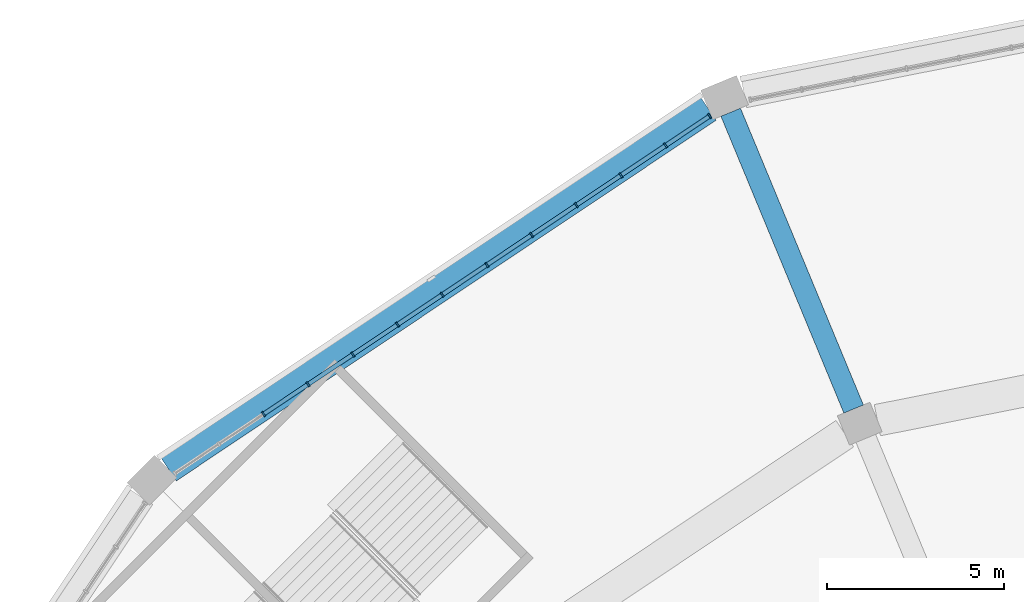
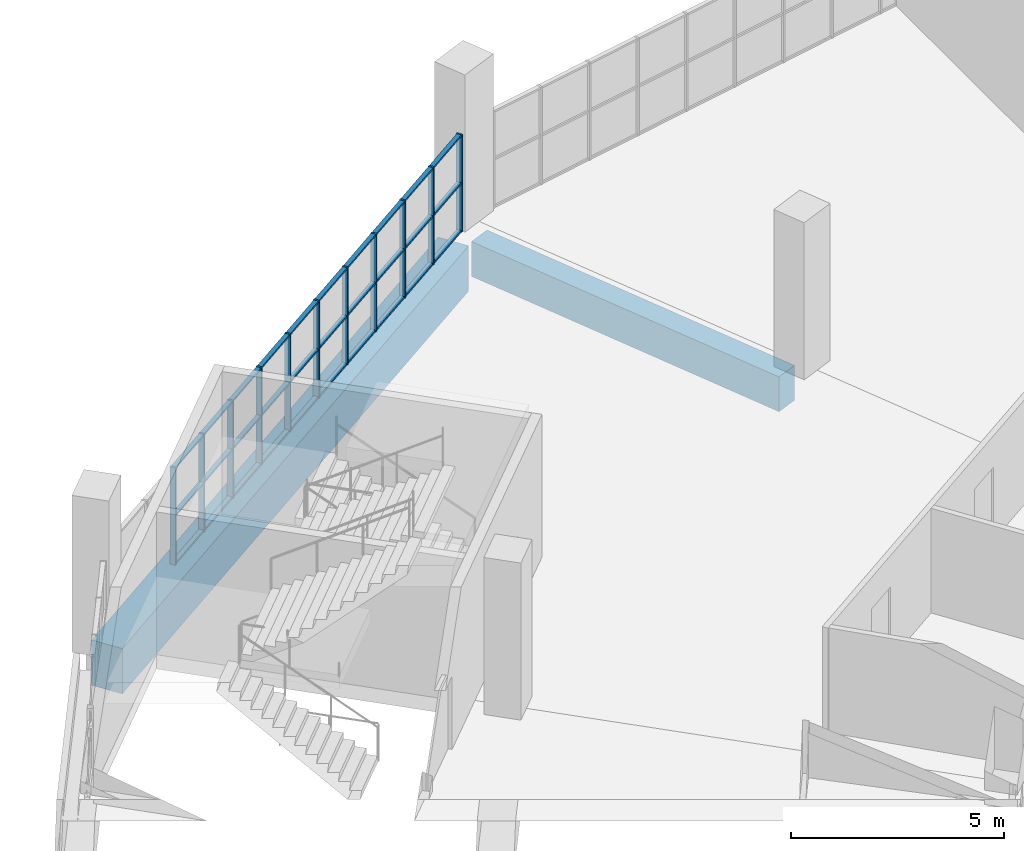
# One storey, part 41 of 199: 41 members, 2 beams, 1 element without a shape of its own.
"""IFC4 building model written with IfcOpenShell, lengths in metres."""

import ifcopenshell
import ifcopenshell.guid

model = None  # the IFC model being written
_history = None  # IfcOwnerHistory: only IFC2X3 demands one
_inside = {}  # id of a spatial element -> (the spatial element, [elements in it])
_under = {}  # id of a project, library or spatial element -> (it, [spatial elements below it])
_declared = {}  # id of a project -> (the project, [libraries it declares])
_typed = {}  # id of a type object -> (the type object, [elements of that type])
_made_of = {}  # id of a material, layer set ... -> (it, [elements and type objects made of it])


def new_model(schema):
    """Start an empty IFC model of exactly this schema.

    Asked for "IFC4X3", IfcOpenShell would pick the latest addendum, in which some entities
    have other attributes; the version numbers below select the first issue.
    IFC2X3 requires an IfcOwnerHistory on every rooted entity: one is made here for all.
    """
    global model, _history
    if schema == "IFC4X3":
        model = ifcopenshell.file(schema_version=(4, 3, 0, 0))
    else:
        model = ifcopenshell.file(schema=schema)
    _inside.clear()
    _under.clear()
    _declared.clear()
    _typed.clear()
    _made_of.clear()
    _history = None
    if model.schema == "IFC2X3":
        org = make("IfcOrganization", Name="unknown")
        user = make(
            "IfcPersonAndOrganization",
            ThePerson=make("IfcPerson", FamilyName="unknown"),
            TheOrganization=org,
        )
        app = make(
            "IfcApplication",
            ApplicationDeveloper=org,
            Version="unknown",
            ApplicationFullName="unknown",
            ApplicationIdentifier="unknown",
        )
        _history = make(
            "IfcOwnerHistory",
            OwningUser=user,
            OwningApplication=app,
            ChangeAction="ADDED",
            CreationDate=0,
        )
    return model


def make(cls, **values):
    """One entity of the class cls with the attributes given. An attribute that is None is left unset."""
    return model.create_entity(
        cls, **{name: value for name, value in values.items() if value is not None}
    )


def rooted(cls, **values):
    """An entity with a GlobalId (a new one), such as an element, a storey or a relation."""
    return make(cls, GlobalId=ifcopenshell.guid.new(), OwnerHistory=_history, **values)


def si_unit(unit_type, name, prefix=None):
    """IfcSIUnit, for example si_unit("LENGTHUNIT", "METRE", prefix="MILLI")."""
    return make("IfcSIUnit", UnitType=unit_type, Prefix=prefix, Name=name)


def assignment(units):
    """IfcUnitAssignment: the units of a project."""
    return None if units is None else make("IfcUnitAssignment", Units=units)


def point(xyz):
    """IfcCartesianPoint."""
    return None if xyz is None else make("IfcCartesianPoint", Coordinates=xyz)


def direction(xyz):
    """IfcDirection."""
    return None if xyz is None else make("IfcDirection", DirectionRatios=xyz)


def frame(location, z_axis=None, x_axis=None):
    """IfcAxis2Placement3D, a coordinate frame: its origin and axes. An axis left out is left unset."""
    return make(
        "IfcAxis2Placement3D",
        Location=point(location),
        Axis=direction(z_axis),
        RefDirection=direction(x_axis),
    )


def frame_2d(location, x_axis=None):
    """IfcAxis2Placement2D, a coordinate frame in the plane: its origin and x axis."""
    return make(
        "IfcAxis2Placement2D", Location=point(location), RefDirection=direction(x_axis)
    )


def origin():
    """The frame at (0, 0, 0) with its axes left unset."""
    return frame((0.0, 0.0, 0.0))


def origin_2d():
    """The frame at (0, 0) in the plane with its x axis left unset."""
    return frame_2d((0.0, 0.0))


def place(relative_to, where):
    """IfcLocalPlacement: puts the frame where relative to a parent placement (None: the world)."""
    return make(
        "IfcLocalPlacement", PlacementRelTo=relative_to, RelativePlacement=where
    )


def context(
    kind, dimensions, precision=None, world=None, true_north=None, identifier=None
):
    """IfcGeometricRepresentationContext, for example the 3D "Model" context."""
    return make(
        "IfcGeometricRepresentationContext",
        ContextIdentifier=identifier,
        ContextType=kind,
        CoordinateSpaceDimension=dimensions,
        Precision=precision,
        WorldCoordinateSystem=world,
        TrueNorth=true_north,
    )


def subcontext(parent, identifier, kind, view, scale=None):
    """IfcGeometricRepresentationSubContext, for example "Body" below "Model"."""
    return make(
        "IfcGeometricRepresentationSubContext",
        ContextIdentifier=identifier,
        ContextType=kind,
        ParentContext=parent,
        TargetScale=scale,
        TargetView=view,
    )


def project(units=None, contexts=None):
    """IfcProject with its units and contexts."""
    return rooted(
        "IfcProject",
        Name="project",
        RepresentationContexts=contexts,
        UnitsInContext=assignment(units),
    )


def spatial(cls, under=None, at=None, **own):
    """A site, building, storey or space (cls), placed at a placement, below another one or the project."""
    s = rooted(cls, ObjectPlacement=at, **own)
    if under is not None:
        _under.setdefault(under.id(), (under, []))[1].append(s)
    return s


def profile(cls, at=None, kind="AREA", **sizes):
    """A parametric profile (cls). Its sizes go by their IFC names, for example OverallWidth=200.0."""
    return make(cls, ProfileType=kind, Position=at, **sizes)


def rectangle(**sizes):
    """IfcRectangleProfileDef."""
    return profile("IfcRectangleProfileDef", **sizes)


def extrude(swept, where, along, depth):
    """IfcExtrudedAreaSolid: the profile swept, set in the frame where, extruded along a direction by depth."""
    return make(
        "IfcExtrudedAreaSolid",
        SweptArea=swept,
        Position=where,
        ExtrudedDirection=direction(along),
        Depth=depth,
    )


def shape(context_of_items, identifier, shape_type, items):
    """IfcShapeRepresentation: the items that make up one representation, for example the "Body"."""
    return make(
        "IfcShapeRepresentation",
        ContextOfItems=context_of_items,
        RepresentationIdentifier=identifier,
        RepresentationType=shape_type,
        Items=items,
    )


def material(Name=None, Category=None):
    """IfcMaterial."""
    return make("IfcMaterial", Name=Name, Category=Category)


def material_profile(
    of_material, cross_section, Name=None, Category=None, Priority=None
):
    """IfcMaterialProfile: a cross section and its material."""
    return make(
        "IfcMaterialProfile",
        Name=Name,
        Material=of_material,
        Profile=cross_section,
        Priority=Priority,
        Category=Category,
    )


def profile_set(profiles, Name=None, composite=None):
    """IfcMaterialProfileSet."""
    return make(
        "IfcMaterialProfileSet",
        Name=Name,
        MaterialProfiles=profiles,
        CompositeProfile=composite,
    )


def made_of(thing, what):
    """Note that an element or type object is made of a material, layer set ...; save() writes the relation."""
    if what is not None:
        _made_of.setdefault(what.id(), (what, []))[1].append(thing)
    return thing


def type_object(cls, material=None, **own):
    """A type object (cls), such as IfcWallType, which elements share."""
    return made_of(rooted(cls, **own), material)


def element(
    cls,
    number,
    at=None,
    inside=None,
    cuts=None,
    type_object=None,
    material=None,
    context=None,
    identifier="Body",
    shape_type=None,
    held_by="IfcProductDefinitionShape",
    body=None,
    shapes=None,
    **own,
):
    """One element of the class cls, such as IfcWall. Its Tag is "e" and its number.

    at: its placement. inside: the storey or other place that contains it. cuts: it is an
    opening in that element (IfcRelVoidsElement). A single representation is given by context,
    identifier, shape_type and body (its items); several are given by shapes. held_by: the class
    of the entity that holds the representations. save() writes the other relations.
    """
    e = rooted(cls, Tag="e%d" % number, ObjectPlacement=at, **own)
    if body is not None:
        shapes = [shape(context, identifier, shape_type, body)]
    if shapes is not None:
        e.Representation = make(held_by, Representations=shapes)
    if inside is not None:
        _inside.setdefault(inside.id(), (inside, []))[1].append(e)
    if cuts is not None:
        rooted(
            "IfcRelVoidsElement", RelatingBuildingElement=cuts, RelatedOpeningElement=e
        )
    if type_object is not None:
        _typed.setdefault(type_object.id(), (type_object, []))[1].append(e)
    return made_of(e, material)


def aggregate(whole, parts):
    """IfcRelAggregates: a whole, such as a stair, and the parts it consists of."""
    return rooted("IfcRelAggregates", RelatingObject=whole, RelatedObjects=parts)


def save(model, path):
    """Write the relations noted so far, then the file.

    IfcRelAggregates (storeys below a building ...), IfcRelContainedInSpatialStructure (elements
    in a storey), IfcRelDefinesByType, IfcRelAssociatesMaterial and IfcRelDeclares: one each for
    every whole, place, type object, material and project.
    """
    for whole, parts in _under.values():
        aggregate(whole, parts)
    for where, things in _inside.values():
        rooted(
            "IfcRelContainedInSpatialStructure",
            RelatedElements=things,
            RelatingStructure=where,
        )
    for kind, things in _typed.values():
        rooted("IfcRelDefinesByType", RelatedObjects=things, RelatingType=kind)
    for what, things in _made_of.values():
        rooted("IfcRelAssociatesMaterial", RelatedObjects=things, RelatingMaterial=what)
    for by, libraries in _declared.values():
        rooted("IfcRelDeclares", RelatingContext=by, RelatedDefinitions=libraries)
    model.write(path)


model = new_model("IFC4")

# Units and contexts
model_context = context("Model", 3, precision=1e-05, world=origin(), true_north=direction((0.0, 1.0)))
body_context = subcontext(model_context, "Body", "Model", "MODEL_VIEW")
ifc_project = project(units=[si_unit("LENGTHUNIT", "METRE"), si_unit("AREAUNIT", "SQUARE_METRE"), si_unit("VOLUMEUNIT", "CUBIC_METRE"), si_unit("PLANEANGLEUNIT", "RADIAN"), si_unit("MASSUNIT", "GRAM", prefix="KILO")], contexts=[model_context])

# Site, building, storey
site_placement = place(None, origin())
site = spatial("IfcSite", under=ifc_project, at=site_placement, CompositionType="ELEMENT")
building_placement = place(site_placement, origin())
building = spatial("IfcBuilding", under=site, at=building_placement, Name="Ogive Plaza Stadium", CompositionType="ELEMENT")
storey_placement = place(building_placement, frame((0.0, 0.0, 9.0)))
storey = spatial("IfcBuildingStorey", under=building, at=storey_placement, Name="L02", CompositionType="ELEMENT", Elevation=9.0)

# Curtain wall, members
ifc_material_1 = material(Name="Bronze-anodised aluminium with laminated glass", Category="aluminium")
curtain_wall_type = type_object("IfcCurtainWallType", Name="Lancet curtain wall", PredefinedType="NOTDEFINED", material=ifc_material_1)
curtain_wall_placement = place(storey_placement, origin())
curtain_wall = element("IfcCurtainWall", 1, at=curtain_wall_placement, inside=storey, type_object=curtain_wall_type, Name="CURTAIN WALL B30 L02", PredefinedType="NOTDEFINED")
ifc_material_2 = material(Name="Bronze-anodised aluminium", Category="aluminium")
ifc_material_profile_1 = material_profile(ifc_material_2, rectangle(XDim=0.14990234375, YDim=0.050048828125, at=origin_2d()), Name="AL 150x50")
ifc_profile_set_1 = profile_set([ifc_material_profile_1], Name="Bronze-anodised aluminium")
member_type_1 = type_object("IfcMemberType", Name="Curtain wall mullion 50x150", PredefinedType="MULLION", material=ifc_profile_set_1)
member_1_placement = place(storey_placement, frame((-66.19677734375, 89.725341796875, 0.0), z_axis=(0.0, 0.0, 1.0), x_axis=(-0.55557023302, 0.831469612303, 0.0)))
member_1 = element("IfcMember", 2, at=member_1_placement, type_object=member_type_1, Name="CW-B30-L02 mullion 3", PredefinedType="MULLION", context=body_context, shape_type="SweptSolid", body=[
    extrude(rectangle(XDim=0.14990234375, YDim=0.050048828125, at=origin_2d()), origin(), (0.0, 0.0, 1.0), 2.7900390625),
])
member_2_placement = place(storey_placement, frame((-64.930908203125, 90.571044921875, 0.0), z_axis=(0.0, 0.0, 1.0), x_axis=(-0.55557023302, 0.831469612303, 0.0)))
member_2 = element("IfcMember", 3, at=member_2_placement, type_object=member_type_1, Name="CW-B30-L02 mullion 4", PredefinedType="MULLION", context=body_context, shape_type="SweptSolid", body=[
    extrude(rectangle(XDim=0.14990234375, YDim=0.050048828125, at=origin_2d()), origin(), (0.0, 0.0, 1.0), 2.7900390625),
])
member_3_placement = place(storey_placement, frame((-63.665283203125, 91.416748046875, 0.0), z_axis=(0.0, 0.0, 1.0), x_axis=(-0.55557023302, 0.831469612303, 0.0)))
member_3 = element("IfcMember", 4, at=member_3_placement, type_object=member_type_1, Name="CW-B30-L02 mullion 5", PredefinedType="MULLION", context=body_context, shape_type="SweptSolid", body=[
    extrude(rectangle(XDim=0.14990234375, YDim=0.050048828125, at=origin_2d()), origin(), (0.0, 0.0, 1.0), 2.7900390625),
])
member_4_placement = place(storey_placement, frame((-62.3994140625, 92.2626953125, 0.0), z_axis=(0.0, 0.0, 1.0), x_axis=(-0.55557023302, 0.831469612303, 0.0)))
member_4 = element("IfcMember", 5, at=member_4_placement, type_object=member_type_1, Name="CW-B30-L02 mullion 6", PredefinedType="MULLION", context=body_context, shape_type="SweptSolid", body=[
    extrude(rectangle(XDim=0.14990234375, YDim=0.050048828125, at=origin_2d()), origin(), (0.0, 0.0, 1.0), 2.7900390625),
])
member_5_placement = place(storey_placement, frame((-61.133544921875, 93.1083984375, 0.0), z_axis=(0.0, 0.0, 1.0), x_axis=(-0.55557023302, 0.831469612303, 0.0)))
member_5 = element("IfcMember", 6, at=member_5_placement, type_object=member_type_1, Name="CW-B30-L02 mullion 7", PredefinedType="MULLION", context=body_context, shape_type="SweptSolid", body=[
    extrude(rectangle(XDim=0.14990234375, YDim=0.050048828125, at=origin_2d()), origin(), (0.0, 0.0, 1.0), 2.7900390625),
])
member_6_placement = place(storey_placement, frame((-59.867919921875, 93.9541015625, 0.0), z_axis=(0.0, 0.0, 1.0), x_axis=(-0.55557023302, 0.831469612303, 0.0)))
member_6 = element("IfcMember", 7, at=member_6_placement, type_object=member_type_1, Name="CW-B30-L02 mullion 8", PredefinedType="MULLION", context=body_context, shape_type="SweptSolid", body=[
    extrude(rectangle(XDim=0.14990234375, YDim=0.050048828125, at=origin_2d()), origin(), (0.0, 0.0, 1.0), 2.7900390625),
])
member_7_placement = place(storey_placement, frame((-58.60205078125, 94.7998046875, 0.0), z_axis=(0.0, 0.0, 1.0), x_axis=(-0.55557023302, 0.831469612303, 0.0)))
member_7 = element("IfcMember", 8, at=member_7_placement, type_object=member_type_1, Name="CW-B30-L02 mullion 9", PredefinedType="MULLION", context=body_context, shape_type="SweptSolid", body=[
    extrude(rectangle(XDim=0.14990234375, YDim=0.050048828125, at=origin_2d()), origin(), (0.0, 0.0, 1.0), 2.7900390625),
])
member_8_placement = place(storey_placement, frame((-57.336181640625, 95.645751953125, 0.0), z_axis=(0.0, 0.0, 1.0), x_axis=(-0.55557023302, 0.831469612303, 0.0)))
member_8 = element("IfcMember", 9, at=member_8_placement, type_object=member_type_1, Name="CW-B30-L02 mullion 10", PredefinedType="MULLION", context=body_context, shape_type="SweptSolid", body=[
    extrude(rectangle(XDim=0.14990234375, YDim=0.050048828125, at=origin_2d()), origin(), (0.0, 0.0, 1.0), 2.7900390625),
])
member_9_placement = place(storey_placement, frame((-56.070556640625, 96.491455078125, 0.0), z_axis=(0.0, 0.0, 1.0), x_axis=(-0.55557023302, 0.831469612303, 0.0)))
member_9 = element("IfcMember", 10, at=member_9_placement, type_object=member_type_1, Name="CW-B30-L02 mullion 11", PredefinedType="MULLION", context=body_context, shape_type="SweptSolid", body=[
    extrude(rectangle(XDim=0.14990234375, YDim=0.050048828125, at=origin_2d()), origin(), (0.0, 0.0, 1.0), 2.7900390625),
])
member_10_placement = place(storey_placement, frame((-54.8046875, 97.337158203125, 0.0), z_axis=(0.0, 0.0, 1.0), x_axis=(-0.55557023302, 0.831469612303, 0.0)))
member_10 = element("IfcMember", 11, at=member_10_placement, type_object=member_type_1, Name="CW-B30-L02 mullion 12", PredefinedType="MULLION", context=body_context, shape_type="SweptSolid", body=[
    extrude(rectangle(XDim=0.14990234375, YDim=0.050048828125, at=origin_2d()), origin(), (0.0, 0.0, 1.0), 2.7900390625),
])
member_11_placement = place(storey_placement, frame((-53.559814453125, 98.169189453125, 0.0), z_axis=(0.0, 0.0, 1.0), x_axis=(-0.55557023302, 0.831469612303, 0.0)))
member_11 = element("IfcMember", 12, at=member_11_placement, type_object=member_type_1, Name="CW-B30-L02 mullion 13", PredefinedType="MULLION", context=body_context, shape_type="SweptSolid", body=[
    extrude(rectangle(XDim=0.14990234375, YDim=0.050048828125, at=origin_2d()), origin(), (0.0, 0.0, 1.0), 2.7900390625),
])
ifc_material_3 = material(Name="Bronze-anodised aluminium", Category="aluminium")
ifc_material_profile_2 = material_profile(ifc_material_3, rectangle(XDim=0.1201171875, YDim=0.050048828125, at=origin_2d()), Name="AL 120x50")
ifc_profile_set_2 = profile_set([ifc_material_profile_2], Name="Bronze-anodised aluminium")
member_type_2 = type_object("IfcMemberType", Name="Curtain wall transom 50x120", PredefinedType="USERDEFINED", material=ifc_profile_set_2)
member_12_placement = place(storey_placement, frame((-66.176025390625, 89.7392578125, 0.02490234375), z_axis=(0.83153975619, 0.555465240925, 0.0), x_axis=(-0.555465240925, 0.83153975619, 0.0)))
member_12 = element("IfcMember", 13, at=member_12_placement, type_object=member_type_2, Name="CW-B30-L02 transom 3.1", ObjectType="TRANSOM", PredefinedType="USERDEFINED", context=body_context, shape_type="SweptSolid", body=[
    extrude(rectangle(XDim=0.1201171875, YDim=0.050048828125, at=origin_2d()), origin(), (0.0, 0.0, 1.0), 1.472412109375),
])
member_13_placement = place(storey_placement, frame((-66.176025390625, 89.7392578125, 1.39501953125), z_axis=(0.83153975619, 0.555465240925, 0.0), x_axis=(-0.555465240925, 0.83153975619, 0.0)))
member_13 = element("IfcMember", 14, at=member_13_placement, type_object=member_type_2, Name="CW-B30-L02 transom 3.2", ObjectType="TRANSOM", PredefinedType="USERDEFINED", context=body_context, shape_type="SweptSolid", body=[
    extrude(rectangle(XDim=0.1201171875, YDim=0.050048828125, at=origin_2d()), origin(), (0.0, 0.0, 1.0), 1.472412109375),
])
member_14_placement = place(storey_placement, frame((-66.176025390625, 89.7392578125, 2.764892578125), z_axis=(0.83153975619, 0.555465240925, 0.0), x_axis=(-0.555465240925, 0.83153975619, 0.0)))
member_14 = element("IfcMember", 15, at=member_14_placement, type_object=member_type_2, Name="CW-B30-L02 transom 3.3", ObjectType="TRANSOM", PredefinedType="USERDEFINED", context=body_context, shape_type="SweptSolid", body=[
    extrude(rectangle(XDim=0.1201171875, YDim=0.050048828125, at=origin_2d()), origin(), (0.0, 0.0, 1.0), 1.472412109375),
])
member_15_placement = place(storey_placement, frame((-64.91015625, 90.5849609375, 0.02490234375), z_axis=(0.831488586159, 0.555541835587, 0.0), x_axis=(-0.555541835587, 0.831488586159, 0.0)))
member_15 = element("IfcMember", 16, at=member_15_placement, type_object=member_type_2, Name="CW-B30-L02 transom 4.1", ObjectType="TRANSOM", PredefinedType="USERDEFINED", context=body_context, shape_type="SweptSolid", body=[
    extrude(rectangle(XDim=0.1201171875, YDim=0.050048828125, at=origin_2d()), origin(), (0.0, 0.0, 1.0), 1.47216796875),
])
member_16_placement = place(storey_placement, frame((-64.91015625, 90.5849609375, 1.39501953125), z_axis=(0.831488586159, 0.555541835587, 0.0), x_axis=(-0.555541835587, 0.831488586159, 0.0)))
member_16 = element("IfcMember", 17, at=member_16_placement, type_object=member_type_2, Name="CW-B30-L02 transom 4.2", ObjectType="TRANSOM", PredefinedType="USERDEFINED", context=body_context, shape_type="SweptSolid", body=[
    extrude(rectangle(XDim=0.1201171875, YDim=0.050048828125, at=origin_2d()), origin(), (0.0, 0.0, 1.0), 1.47216796875),
])
member_17_placement = place(storey_placement, frame((-64.91015625, 90.5849609375, 2.764892578125), z_axis=(0.831488586159, 0.555541835587, 0.0), x_axis=(-0.555541835587, 0.831488586159, 0.0)))
member_17 = element("IfcMember", 18, at=member_17_placement, type_object=member_type_2, Name="CW-B30-L02 transom 4.3", ObjectType="TRANSOM", PredefinedType="USERDEFINED", context=body_context, shape_type="SweptSolid", body=[
    extrude(rectangle(XDim=0.1201171875, YDim=0.050048828125, at=origin_2d()), origin(), (0.0, 0.0, 1.0), 1.47216796875),
])
member_18_placement = place(storey_placement, frame((-63.64453125, 91.4306640625, 0.02490234375), z_axis=(0.831463168883, 0.555579876157, 0.0), x_axis=(-0.555579876157, 0.831463168883, 0.0)))
member_18 = element("IfcMember", 19, at=member_18_placement, type_object=member_type_2, Name="CW-B30-L02 transom 5.1", ObjectType="TRANSOM", PredefinedType="USERDEFINED", context=body_context, shape_type="SweptSolid", body=[
    extrude(rectangle(XDim=0.1201171875, YDim=0.050048828125, at=origin_2d()), origin(), (0.0, 0.0, 1.0), 1.47265625),
])
member_19_placement = place(storey_placement, frame((-63.64453125, 91.4306640625, 1.39501953125), z_axis=(0.831463168883, 0.555579876157, 0.0), x_axis=(-0.555579876157, 0.831463168883, 0.0)))
member_19 = element("IfcMember", 20, at=member_19_placement, type_object=member_type_2, Name="CW-B30-L02 transom 5.2", ObjectType="TRANSOM", PredefinedType="USERDEFINED", context=body_context, shape_type="SweptSolid", body=[
    extrude(rectangle(XDim=0.1201171875, YDim=0.050048828125, at=origin_2d()), origin(), (0.0, 0.0, 1.0), 1.47265625),
])
member_20_placement = place(storey_placement, frame((-63.64453125, 91.4306640625, 2.764892578125), z_axis=(0.831463168883, 0.555579876157, 0.0), x_axis=(-0.555579876157, 0.831463168883, 0.0)))
member_20 = element("IfcMember", 21, at=member_20_placement, type_object=member_type_2, Name="CW-B30-L02 transom 5.3", ObjectType="TRANSOM", PredefinedType="USERDEFINED", context=body_context, shape_type="SweptSolid", body=[
    extrude(rectangle(XDim=0.1201171875, YDim=0.050048828125, at=origin_2d()), origin(), (0.0, 0.0, 1.0), 1.47265625),
])
member_21_placement = place(storey_placement, frame((-62.378662109375, 92.2763671875, 0.02490234375), z_axis=(0.831411982446, 0.555656472512, 0.0), x_axis=(-0.555656472512, 0.831411982446, 0.0)))
member_21 = element("IfcMember", 22, at=member_21_placement, type_object=member_type_2, Name="CW-B30-L02 transom 6.1", ObjectType="TRANSOM", PredefinedType="USERDEFINED", context=body_context, shape_type="SweptSolid", body=[
    extrude(rectangle(XDim=0.1201171875, YDim=0.050048828125, at=origin_2d()), origin(), (0.0, 0.0, 1.0), 1.472412109375),
])
member_22_placement = place(storey_placement, frame((-62.378662109375, 92.2763671875, 1.39501953125), z_axis=(0.831411982446, 0.555656472512, 0.0), x_axis=(-0.555656472512, 0.831411982446, 0.0)))
member_22 = element("IfcMember", 23, at=member_22_placement, type_object=member_type_2, Name="CW-B30-L02 transom 6.2", ObjectType="TRANSOM", PredefinedType="USERDEFINED", context=body_context, shape_type="SweptSolid", body=[
    extrude(rectangle(XDim=0.1201171875, YDim=0.050048828125, at=origin_2d()), origin(), (0.0, 0.0, 1.0), 1.472412109375),
])
member_23_placement = place(storey_placement, frame((-62.378662109375, 92.2763671875, 2.764892578125), z_axis=(0.831411982446, 0.555656472512, 0.0), x_axis=(-0.555656472512, 0.831411982446, 0.0)))
member_23 = element("IfcMember", 24, at=member_23_placement, type_object=member_type_2, Name="CW-B30-L02 transom 6.3", ObjectType="TRANSOM", PredefinedType="USERDEFINED", context=body_context, shape_type="SweptSolid", body=[
    extrude(rectangle(XDim=0.1201171875, YDim=0.050048828125, at=origin_2d()), origin(), (0.0, 0.0, 1.0), 1.472412109375),
])
member_24_placement = place(storey_placement, frame((-61.11279296875, 93.122314453125, 0.02490234375), z_axis=(0.831488586159, 0.555541835587, 0.0), x_axis=(-0.555541835587, 0.831488586159, 0.0)))
member_24 = element("IfcMember", 25, at=member_24_placement, type_object=member_type_2, Name="CW-B30-L02 transom 7.1", ObjectType="TRANSOM", PredefinedType="USERDEFINED", context=body_context, shape_type="SweptSolid", body=[
    extrude(rectangle(XDim=0.1201171875, YDim=0.050048828125, at=origin_2d()), origin(), (0.0, 0.0, 1.0), 1.47216796875),
])
member_25_placement = place(storey_placement, frame((-61.11279296875, 93.122314453125, 1.39501953125), z_axis=(0.831488586159, 0.555541835587, 0.0), x_axis=(-0.555541835587, 0.831488586159, 0.0)))
member_25 = element("IfcMember", 26, at=member_25_placement, type_object=member_type_2, Name="CW-B30-L02 transom 7.2", ObjectType="TRANSOM", PredefinedType="USERDEFINED", context=body_context, shape_type="SweptSolid", body=[
    extrude(rectangle(XDim=0.1201171875, YDim=0.050048828125, at=origin_2d()), origin(), (0.0, 0.0, 1.0), 1.47216796875),
])
member_26_placement = place(storey_placement, frame((-61.11279296875, 93.122314453125, 2.764892578125), z_axis=(0.831488586159, 0.555541835587, 0.0), x_axis=(-0.555541835587, 0.831488586159, 0.0)))
member_26 = element("IfcMember", 27, at=member_26_placement, type_object=member_type_2, Name="CW-B30-L02 transom 7.3", ObjectType="TRANSOM", PredefinedType="USERDEFINED", context=body_context, shape_type="SweptSolid", body=[
    extrude(rectangle(XDim=0.1201171875, YDim=0.050048828125, at=origin_2d()), origin(), (0.0, 0.0, 1.0), 1.47216796875),
])
member_27_placement = place(storey_placement, frame((-59.84716796875, 93.968017578125, 0.02490234375), z_axis=(0.831463168883, 0.555579876157, 0.0), x_axis=(-0.555579876157, 0.831463168883, 0.0)))
member_27 = element("IfcMember", 28, at=member_27_placement, type_object=member_type_2, Name="CW-B30-L02 transom 8.1", ObjectType="TRANSOM", PredefinedType="USERDEFINED", context=body_context, shape_type="SweptSolid", body=[
    extrude(rectangle(XDim=0.1201171875, YDim=0.050048828125, at=origin_2d()), origin(), (0.0, 0.0, 1.0), 1.47265625),
])
member_28_placement = place(storey_placement, frame((-59.84716796875, 93.968017578125, 1.39501953125), z_axis=(0.831463168883, 0.555579876157, 0.0), x_axis=(-0.555579876157, 0.831463168883, 0.0)))
member_28 = element("IfcMember", 29, at=member_28_placement, type_object=member_type_2, Name="CW-B30-L02 transom 8.2", ObjectType="TRANSOM", PredefinedType="USERDEFINED", context=body_context, shape_type="SweptSolid", body=[
    extrude(rectangle(XDim=0.1201171875, YDim=0.050048828125, at=origin_2d()), origin(), (0.0, 0.0, 1.0), 1.47265625),
])
member_29_placement = place(storey_placement, frame((-59.84716796875, 93.968017578125, 2.764892578125), z_axis=(0.831463168883, 0.555579876157, 0.0), x_axis=(-0.555579876157, 0.831463168883, 0.0)))
member_29 = element("IfcMember", 30, at=member_29_placement, type_object=member_type_2, Name="CW-B30-L02 transom 8.3", ObjectType="TRANSOM", PredefinedType="USERDEFINED", context=body_context, shape_type="SweptSolid", body=[
    extrude(rectangle(XDim=0.1201171875, YDim=0.050048828125, at=origin_2d()), origin(), (0.0, 0.0, 1.0), 1.47265625),
])
member_30_placement = place(storey_placement, frame((-58.581298828125, 94.813720703125, 0.02490234375), z_axis=(0.831411982446, 0.555656472512, 0.0), x_axis=(-0.555656472512, 0.831411982446, 0.0)))
member_30 = element("IfcMember", 31, at=member_30_placement, type_object=member_type_2, Name="CW-B30-L02 transom 9.1", ObjectType="TRANSOM", PredefinedType="USERDEFINED", context=body_context, shape_type="SweptSolid", body=[
    extrude(rectangle(XDim=0.1201171875, YDim=0.050048828125, at=origin_2d()), origin(), (0.0, 0.0, 1.0), 1.472412109375),
])
member_31_placement = place(storey_placement, frame((-58.581298828125, 94.813720703125, 1.39501953125), z_axis=(0.831411982446, 0.555656472512, 0.0), x_axis=(-0.555656472512, 0.831411982446, 0.0)))
member_31 = element("IfcMember", 32, at=member_31_placement, type_object=member_type_2, Name="CW-B30-L02 transom 9.2", ObjectType="TRANSOM", PredefinedType="USERDEFINED", context=body_context, shape_type="SweptSolid", body=[
    extrude(rectangle(XDim=0.1201171875, YDim=0.050048828125, at=origin_2d()), origin(), (0.0, 0.0, 1.0), 1.472412109375),
])
member_32_placement = place(storey_placement, frame((-58.581298828125, 94.813720703125, 2.764892578125), z_axis=(0.831411982446, 0.555656472512, 0.0), x_axis=(-0.555656472512, 0.831411982446, 0.0)))
member_32 = element("IfcMember", 33, at=member_32_placement, type_object=member_type_2, Name="CW-B30-L02 transom 9.3", ObjectType="TRANSOM", PredefinedType="USERDEFINED", context=body_context, shape_type="SweptSolid", body=[
    extrude(rectangle(XDim=0.1201171875, YDim=0.050048828125, at=origin_2d()), origin(), (0.0, 0.0, 1.0), 1.472412109375),
])
member_33_placement = place(storey_placement, frame((-57.3154296875, 95.65966796875, 0.02490234375), z_axis=(0.831488586159, 0.555541835587, 0.0), x_axis=(-0.555541835587, 0.831488586159, 0.0)))
member_33 = element("IfcMember", 34, at=member_33_placement, type_object=member_type_2, Name="CW-B30-L02 transom 10.1", ObjectType="TRANSOM", PredefinedType="USERDEFINED", context=body_context, shape_type="SweptSolid", body=[
    extrude(rectangle(XDim=0.1201171875, YDim=0.050048828125, at=origin_2d()), origin(), (0.0, 0.0, 1.0), 1.47216796875),
])
member_34_placement = place(storey_placement, frame((-57.3154296875, 95.65966796875, 1.39501953125), z_axis=(0.831488586159, 0.555541835587, 0.0), x_axis=(-0.555541835587, 0.831488586159, 0.0)))
member_34 = element("IfcMember", 35, at=member_34_placement, type_object=member_type_2, Name="CW-B30-L02 transom 10.2", ObjectType="TRANSOM", PredefinedType="USERDEFINED", context=body_context, shape_type="SweptSolid", body=[
    extrude(rectangle(XDim=0.1201171875, YDim=0.050048828125, at=origin_2d()), origin(), (0.0, 0.0, 1.0), 1.47216796875),
])
member_35_placement = place(storey_placement, frame((-57.3154296875, 95.65966796875, 2.764892578125), z_axis=(0.831488586159, 0.555541835587, 0.0), x_axis=(-0.555541835587, 0.831488586159, 0.0)))
member_35 = element("IfcMember", 36, at=member_35_placement, type_object=member_type_2, Name="CW-B30-L02 transom 10.3", ObjectType="TRANSOM", PredefinedType="USERDEFINED", context=body_context, shape_type="SweptSolid", body=[
    extrude(rectangle(XDim=0.1201171875, YDim=0.050048828125, at=origin_2d()), origin(), (0.0, 0.0, 1.0), 1.47216796875),
])
member_36_placement = place(storey_placement, frame((-56.0498046875, 96.50537109375, 0.02490234375), z_axis=(0.83153975619, 0.555465240925, 0.0), x_axis=(-0.555465240925, 0.83153975619, 0.0)))
member_36 = element("IfcMember", 37, at=member_36_placement, type_object=member_type_2, Name="CW-B30-L02 transom 11.1", ObjectType="TRANSOM", PredefinedType="USERDEFINED", context=body_context, shape_type="SweptSolid", body=[
    extrude(rectangle(XDim=0.1201171875, YDim=0.050048828125, at=origin_2d()), origin(), (0.0, 0.0, 1.0), 1.472412109375),
])
member_37_placement = place(storey_placement, frame((-56.0498046875, 96.50537109375, 1.39501953125), z_axis=(0.83153975619, 0.555465240925, 0.0), x_axis=(-0.555465240925, 0.83153975619, 0.0)))
member_37 = element("IfcMember", 38, at=member_37_placement, type_object=member_type_2, Name="CW-B30-L02 transom 11.2", ObjectType="TRANSOM", PredefinedType="USERDEFINED", context=body_context, shape_type="SweptSolid", body=[
    extrude(rectangle(XDim=0.1201171875, YDim=0.050048828125, at=origin_2d()), origin(), (0.0, 0.0, 1.0), 1.472412109375),
])
member_38_placement = place(storey_placement, frame((-56.0498046875, 96.50537109375, 2.764892578125), z_axis=(0.83153975619, 0.555465240925, 0.0), x_axis=(-0.555465240925, 0.83153975619, 0.0)))
member_38 = element("IfcMember", 39, at=member_38_placement, type_object=member_type_2, Name="CW-B30-L02 transom 11.3", ObjectType="TRANSOM", PredefinedType="USERDEFINED", context=body_context, shape_type="SweptSolid", body=[
    extrude(rectangle(XDim=0.1201171875, YDim=0.050048828125, at=origin_2d()), origin(), (0.0, 0.0, 1.0), 1.472412109375),
])
member_39_placement = place(storey_placement, frame((-54.783935546875, 97.35107421875, 0.02490234375), z_axis=(0.831426948977, 0.555634077892, 0.0), x_axis=(-0.555634077892, 0.831426948977, 0.0)))
member_39 = element("IfcMember", 40, at=member_39_placement, type_object=member_type_2, Name="CW-B30-L02 transom 12.1", ObjectType="TRANSOM", PredefinedType="USERDEFINED", context=body_context, shape_type="SweptSolid", body=[
    extrude(rectangle(XDim=0.1201171875, YDim=0.050048828125, at=origin_2d()), origin(), (0.0, 0.0, 1.0), 1.447265625),
])
member_40_placement = place(storey_placement, frame((-54.783935546875, 97.35107421875, 1.39501953125), z_axis=(0.831426948977, 0.555634077892, 0.0), x_axis=(-0.555634077892, 0.831426948977, 0.0)))
member_40 = element("IfcMember", 41, at=member_40_placement, type_object=member_type_2, Name="CW-B30-L02 transom 12.2", ObjectType="TRANSOM", PredefinedType="USERDEFINED", context=body_context, shape_type="SweptSolid", body=[
    extrude(rectangle(XDim=0.1201171875, YDim=0.050048828125, at=origin_2d()), origin(), (0.0, 0.0, 1.0), 1.447265625),
])
member_41_placement = place(storey_placement, frame((-54.783935546875, 97.35107421875, 2.764892578125), z_axis=(0.831426948977, 0.555634077892, 0.0), x_axis=(-0.555634077892, 0.831426948977, 0.0)))
member_41 = element("IfcMember", 42, at=member_41_placement, type_object=member_type_2, Name="CW-B30-L02 transom 12.3", ObjectType="TRANSOM", PredefinedType="USERDEFINED", context=body_context, shape_type="SweptSolid", body=[
    extrude(rectangle(XDim=0.1201171875, YDim=0.050048828125, at=origin_2d()), origin(), (0.0, 0.0, 1.0), 1.447265625),
])
aggregate(curtain_wall, [member_1, member_2, member_3, member_4, member_5, member_6, member_7, member_8, member_9, member_10, member_11, member_12, member_13, member_14, member_15, member_16, member_17, member_18, member_19, member_20, member_21, member_22, member_23, member_24, member_25, member_26, member_27, member_28, member_29, member_30, member_31, member_32, member_33, member_34, member_35, member_36, member_37, member_38, member_39, member_40, member_41])

# Beams
ifc_material_4 = material(Name="Concrete C40/50", Category="concrete")
ifc_material_profile_3 = material_profile(ifc_material_4, rectangle(XDim=0.60009765625, YDim=1.0, at=origin_2d()), Name="RC 600x1000")
ifc_profile_set_3 = profile_set([ifc_material_profile_3], Name="Concrete C40/50")
beam_type_1 = type_object("IfcBeamType", Name="RC radial beam 600x1000", PredefinedType="BEAM", material=ifc_profile_set_3)
beam_1_placement = place(storey_placement, frame((-49.4794921875, 89.870849609375, -0.909912109375), z_axis=(-0.382677193504, 0.923882116707, 0.0), x_axis=(-0.923882116707, -0.382677193504, 0.0)))
element("IfcBeam", 43, at=beam_1_placement, inside=storey, type_object=beam_type_1, Name="Radial beam L02 R31 F4F5", PredefinedType="BEAM", context=body_context, shape_type="SweptSolid", body=[
    extrude(rectangle(XDim=0.60009765625, YDim=1.0, at=origin_2d()), origin(), (0.0, 0.0, 1.0), 9.10009765625),
])
ifc_material_5 = material(Name="Concrete C40/50", Category="concrete")
ifc_material_profile_4 = material_profile(ifc_material_5, rectangle(XDim=0.800048828125, YDim=1.300048828125, at=origin_2d()), Name="RC 800x1300")
ifc_profile_set_4 = profile_set([ifc_material_profile_4], Name="Concrete C40/50")
beam_type_2 = type_object("IfcBeamType", Name="RC spandrel beam 800x1300", PredefinedType="SPANDREL", material=ifc_profile_set_4)
beam_2_placement = place(storey_placement, frame((-68.88916015625, 88.1669921875, -1.06005859375), z_axis=(0.831477897484, 0.555557833169, 0.0), x_axis=(-0.555557833169, 0.831477897484, 0.0)))
element("IfcBeam", 44, at=beam_2_placement, inside=storey, type_object=beam_type_2, Name="Ring beam F5 L02 B30", PredefinedType="SPANDREL", context=body_context, shape_type="SweptSolid", body=[
    extrude(rectangle(XDim=0.800048828125, YDim=1.300048828125, at=origin_2d()), origin(), (0.0, 0.0, 1.0), 18.387451171875),
])

save(model, "model.ifc")
